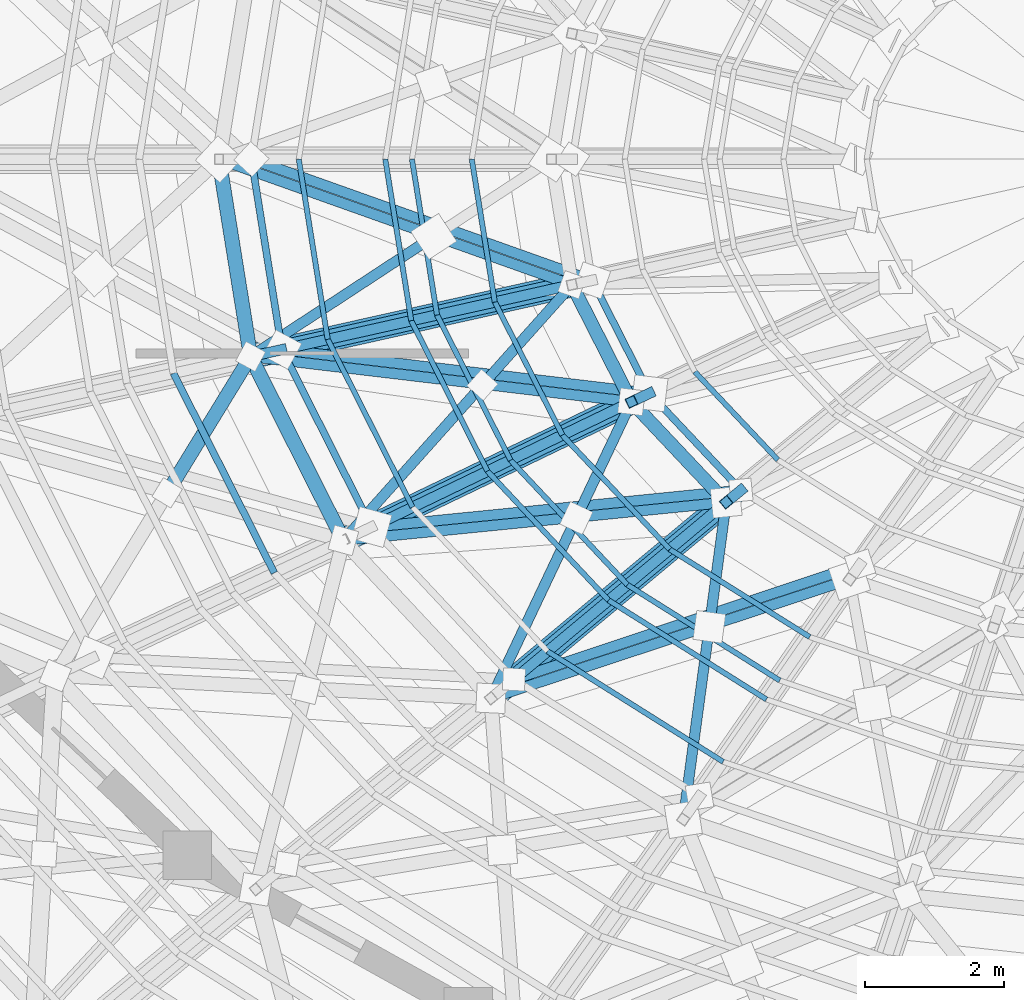
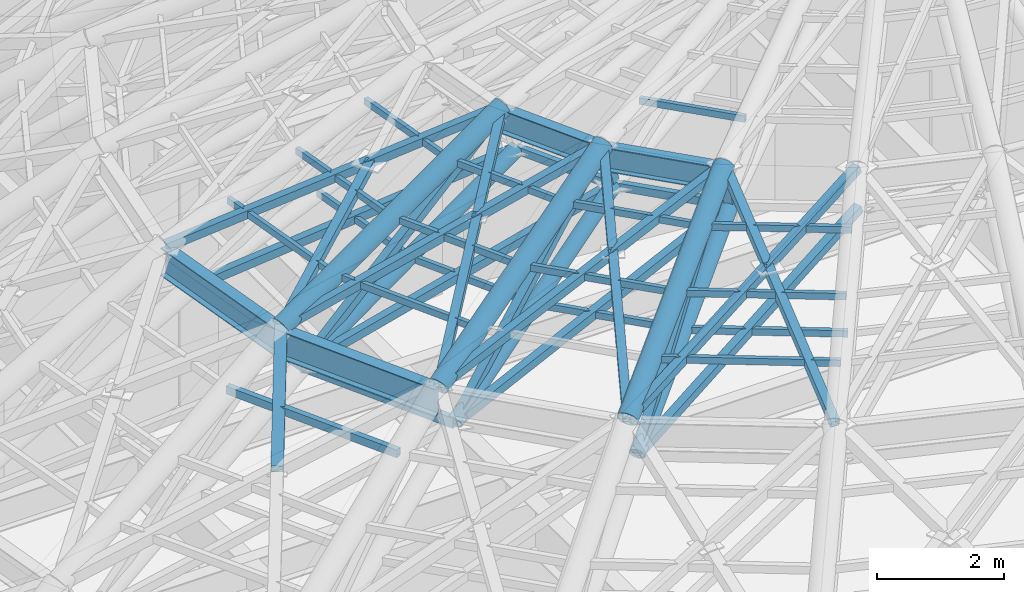
# One storey, part 9 of 50: 49 members, 4 beams.
"""IFC4 building model written with IfcOpenShell, lengths in metres."""

from ifc_helpers import new_model, si_unit, direction, frame, origin, origin_2d, place, context, subcontext, project, spatial, hollow_rectangle, hollow_circle, i_section, extrude, material, material_profile, profile_set, type_object, element, save


model = new_model("IFC4")

# Units and contexts
model_context = context("Model", 3, precision=1e-05, world=origin(), true_north=direction((0.0, 1.0)))
body_context = subcontext(model_context, "Body", "Model", "MODEL_VIEW")
ifc_project = project(units=[si_unit("LENGTHUNIT", "METRE"), si_unit("AREAUNIT", "SQUARE_METRE"), si_unit("VOLUMEUNIT", "CUBIC_METRE"), si_unit("PLANEANGLEUNIT", "RADIAN"), si_unit("MASSUNIT", "GRAM", prefix="KILO")], contexts=[model_context])

# Site, building, storey
site_placement = place(None, origin())
site = spatial("IfcSite", under=ifc_project, at=site_placement, CompositionType="ELEMENT")
building_placement = place(site_placement, origin())
building = spatial("IfcBuilding", under=site, at=building_placement, Name="Cinderbank Siding Concert Hall", CompositionType="ELEMENT")
storey_placement = place(building_placement, frame((0.0, 0.0, 23.699951171875)))
storey = spatial("IfcBuildingStorey", under=building, at=storey_placement, Name="L06", CompositionType="ELEMENT", Elevation=23.699951171875)

# Beams
ifc_material_1 = material(Name="Structural steel AS/NZS 3679.1 Grade 350 (340 MPa)", Category="steel")
ifc_material_profile_1 = material_profile(ifc_material_1, i_section(OverallWidth=0.19091796875, OverallDepth=0.46044921875, WebThickness=0.010009765625, FlangeThickness=0.01611328125, at=origin_2d()), Name="460UB82.1", Category="LoadBearing")
ifc_profile_set_1 = profile_set([ifc_material_profile_1], Name="Structural steel AS/NZS 3679.1 Grade 350 (340 MPa)")
beam_type_1 = type_object("IfcBeamType", Name="BM-UB460H 460UB82.1", PredefinedType="BEAM", material=ifc_profile_set_1)
beam_1_placement = place(storey_placement, frame((113.693115234375, 42.188232421875, 15.769775390625), z_axis=(0.453543458503, -0.89123416185, 0.0), x_axis=(0.89123416185, 0.453543458503, 0.0)))
element("IfcBeam", 1, at=beam_1_placement, inside=storey, type_object=beam_type_1, Name="L06 Beam BM-UB460H #2101", PredefinedType="BEAM", context=body_context, shape_type="SweptSolid", body=[
    extrude(i_section(OverallWidth=0.19091796875, OverallDepth=0.46044921875, WebThickness=0.010009765625, FlangeThickness=0.01611328125, at=origin_2d()), origin(), (0.0, 0.0, 1.0), 1.894287109375),
])
beam_2_placement = place(storey_placement, frame((114.55224609375, 40.5, 15.769775390625), z_axis=(0.685968385117, -0.72763134527, 0.0), x_axis=(0.72763134527, 0.685968385117, 0.0)))
element("IfcBeam", 2, at=beam_2_placement, inside=storey, type_object=beam_type_1, Name="L06 Beam BM-UB460H #2102", PredefinedType="BEAM", context=body_context, shape_type="SweptSolid", body=[
    extrude(i_section(OverallWidth=0.19091796875, OverallDepth=0.46044921875, WebThickness=0.010009765625, FlangeThickness=0.01611328125, at=origin_2d()), origin(), (0.0, 0.0, 1.0), 1.992431640625),
])
ifc_material_profile_2 = material_profile(ifc_material_1, i_section(OverallWidth=0.208984375, OverallDepth=0.532958984375, WebThickness=0.01025390625, FlangeThickness=0.015625, at=origin_2d()), Name="530UB92.4", Category="LoadBearing")
ifc_profile_set_2 = profile_set([ifc_material_profile_2], Name="Structural steel AS/NZS 3679.1 Grade 350 (340 MPa)")
beam_type_2 = type_object("IfcBeamType", Name="BM-UB530H 530UB92.4", PredefinedType="BEAM", material=ifc_profile_set_2)
beam_3_placement = place(storey_placement, frame((108.60009765625, 44.0, 13.733642578125), z_axis=(0.158340547868, -0.987384560797, 0.0), x_axis=(0.987384560797, 0.158340547868, 0.0)))
element("IfcBeam", 3, at=beam_3_placement, inside=storey, type_object=beam_type_2, Name="L06 Beam BM-UB530H #2082", PredefinedType="BEAM", context=body_context, shape_type="SweptSolid", body=[
    extrude(i_section(OverallWidth=0.208984375, OverallDepth=0.532958984375, WebThickness=0.01025390625, FlangeThickness=0.015625, at=origin_2d()), origin(), (0.0, 0.0, 1.0), 2.88330078125),
])
beam_4_placement = place(storey_placement, frame((109.056640625, 41.153076171875, 13.733642578125), z_axis=(0.450464034006, -0.892794575514, 0.0), x_axis=(0.892794575514, 0.450464034006, 0.0)))
element("IfcBeam", 4, at=beam_4_placement, inside=storey, type_object=beam_type_2, Name="L06 Beam BM-UB530H #2083", PredefinedType="BEAM", context=body_context, shape_type="SweptSolid", body=[
    extrude(i_section(OverallWidth=0.208984375, OverallDepth=0.532958984375, WebThickness=0.01025390625, FlangeThickness=0.015625, at=origin_2d()), origin(), (0.0, 0.0, 1.0), 2.9716796875),
])

# Members
ifc_material_2 = material(Name="Structural steel hollow section AS/NZS 1163 Grade C350L0 (350 MPa)", Category="steel")
ifc_material_profile_3 = material_profile(ifc_material_2, hollow_rectangle(XDim=0.14990234375, YDim=0.14990234375, WallThickness=0.008056640625, at=origin_2d()), Name="150x150x8.0SHS", Category="LoadBearing")
ifc_profile_set_3 = profile_set([ifc_material_profile_3], Name="Structural steel hollow section AS/NZS 1163 Grade C350L0 (350 MPa)")
member_type_1 = type_object("IfcMemberType", Name="BR-SHS150 150x150x8.0SHS Roof Truss", PredefinedType="BRACE", material=ifc_profile_set_3)
member_1_placement = place(storey_placement, frame((108.60009765625, 44.0, 14.0), z_axis=(0.883622302252, -0.314335894972, 0.346993619675), x_axis=(0.335160242234, 0.942161139098, 0.0)))
element("IfcMember", 5, at=member_1_placement, inside=storey, type_object=member_type_1, Name="L06 Diagonal Brace BR-SHS150 #DBRO-BR-SHS150-L06-1545", PredefinedType="BRACE", context=body_context, shape_type="SweptSolid", body=[
    extrude(hollow_rectangle(XDim=0.14990234375, YDim=0.14990234375, WallThickness=0.008056640625, at=origin_2d()), origin(), (0.0, 0.0, 1.0), 5.763916015625),
])
member_2_placement = place(storey_placement, frame((109.056640625, 41.153076171875, 14.0), z_axis=(0.78047507235, 0.51156947288, 0.359381880257), x_axis=(-0.548193994041, 0.83635120906, 0.0)))
element("IfcMember", 6, at=member_2_placement, inside=storey, type_object=member_type_1, Name="L06 Diagonal Brace BR-SHS150 #DBRO-BR-SHS150-L06-1546", PredefinedType="BRACE", context=body_context, shape_type="SweptSolid", body=[
    extrude(hollow_rectangle(XDim=0.14990234375, YDim=0.14990234375, WallThickness=0.008056640625, at=origin_2d()), origin(), (0.0, 0.0, 1.0), 3.386474609375),
])
member_3_placement = place(storey_placement, frame((109.069091796875, 44.0, 13.050048828125), z_axis=(0.879724072486, -0.312935476781, 0.357990144643), x_axis=(0.3351472378, 0.942165765137, 0.0)))
element("IfcMember", 7, at=member_3_placement, inside=storey, type_object=member_type_1, Name="L06 Diagonal Brace BR-SHS150 #DBRI-BR-SHS150-L06-1547", PredefinedType="BRACE", context=body_context, shape_type="SweptSolid", body=[
    extrude(hollow_rectangle(XDim=0.14990234375, YDim=0.14990234375, WallThickness=0.008056640625, at=origin_2d()), origin(), (0.0, 0.0, 1.0), 5.586669921875),
])
member_4_placement = place(storey_placement, frame((109.509521484375, 41.252685546875, 13.050048828125), z_axis=(0.803944085996, 0.179780213442, 0.566880041497), x_axis=(-0.218232746795, 0.975896750802, 0.0)))
element("IfcMember", 8, at=member_4_placement, inside=storey, type_object=member_type_1, Name="L06 Diagonal Brace BR-SHS150 #DWBD-BR-SHS150-L06-1550", PredefinedType="BRACE", context=body_context, shape_type="SweptSolid", body=[
    extrude(hollow_rectangle(XDim=0.14990234375, YDim=0.14990234375, WallThickness=0.008056640625, at=origin_2d()), origin(), (0.0, 0.0, 1.0), 5.203857421875),
])
member_5_placement = place(storey_placement, frame((109.509521484375, 41.252685546875, 13.050048828125), z_axis=(-0.428423947592, -0.09423017284, 0.898650986566), x_axis=(0.214811563111, -0.976655513655, 0.0)))
element("IfcMember", 9, at=member_5_placement, inside=storey, type_object=member_type_1, Name="L06 Diagonal Brace BR-SHS150 #DWBV-BR-SHS150-L06-1553", PredefinedType="BRACE", context=body_context, shape_type="SweptSolid", body=[
    extrude(hollow_rectangle(XDim=0.14990234375, YDim=0.14990234375, WallThickness=0.008056640625, at=origin_2d()), origin(), (0.0, 0.0, 1.0), 1.05712890625),
])
member_6_placement = place(storey_placement, frame((109.056640625, 41.153076171875, 14.0), z_axis=(0.933900620549, -0.110981082184, 0.339871785142), x_axis=(0.118005754666, 0.993012911228, 0.0)))
element("IfcMember", 10, at=member_6_placement, inside=storey, type_object=member_type_1, Name="L06 Diagonal Brace BR-SHS150 #DBRO-BR-SHS150-L06-1557", PredefinedType="BRACE", context=body_context, shape_type="SweptSolid", body=[
    extrude(hollow_rectangle(XDim=0.14990234375, YDim=0.14990234375, WallThickness=0.008056640625, at=origin_2d()), origin(), (0.0, 0.0, 1.0), 5.884521484375),
])
member_7_placement = place(storey_placement, frame((110.395263671875, 38.5, 14.0), z_axis=(0.617949788292, 0.691123105075, 0.374815838487), x_axis=(-0.74546827407, 0.666541110776, 0.0)))
element("IfcMember", 11, at=member_7_placement, inside=storey, type_object=member_type_1, Name="L06 Diagonal Brace BR-SHS150 #DBRO-BR-SHS150-L06-1558", PredefinedType="BRACE", context=body_context, shape_type="SweptSolid", body=[
    extrude(hollow_rectangle(XDim=0.14990234375, YDim=0.14990234375, WallThickness=0.008056640625, at=origin_2d()), origin(), (0.0, 0.0, 1.0), 3.246337890625),
])
member_8_placement = place(storey_placement, frame((112.419921875, 40.764404296875, 15.22802734375), z_axis=(0.61800772602, 0.691125802138, 0.374715326879), x_axis=(-0.745438514971, 0.666574392245, 0.0)))
element("IfcMember", 12, at=member_8_placement, inside=storey, type_object=member_type_1, Name="L06 Diagonal Brace BR-SHS150 #DBRO-BR-SHS150-L06-1558-S142", PredefinedType="BRACE", context=body_context, shape_type="SweptSolid", body=[
    extrude(hollow_rectangle(XDim=0.14990234375, YDim=0.14990234375, WallThickness=0.008056640625, at=origin_2d()), origin(), (0.0, 0.0, 1.0), 2.06005859375),
])
member_9_placement = place(storey_placement, frame((109.509521484375, 41.252685546875, 13.050048828125), z_axis=(0.929948888176, -0.110491096091, 0.350694714908), x_axis=(0.117984297951, 0.993015460825, 0.0)))
element("IfcMember", 13, at=member_9_placement, inside=storey, type_object=member_type_1, Name="L06 Diagonal Brace BR-SHS150 #DBRI-BR-SHS150-L06-1559", PredefinedType="BRACE", context=body_context, shape_type="SweptSolid", body=[
    extrude(hollow_rectangle(XDim=0.14990234375, YDim=0.14990234375, WallThickness=0.008056640625, at=origin_2d()), origin(), (0.0, 0.0, 1.0), 5.702880859375),
])
member_10_placement = place(storey_placement, frame((110.801513671875, 38.6923828125, 13.050048828125), z_axis=(0.73504663537, 0.354246259733, 0.578114202641), x_axis=(-0.434148801716, 0.900841172443, 0.0)))
element("IfcMember", 14, at=member_10_placement, inside=storey, type_object=member_type_1, Name="L06 Diagonal Brace BR-SHS150 #DWBD-BR-SHS150-L06-1562", PredefinedType="BRACE", context=body_context, shape_type="SweptSolid", body=[
    extrude(hollow_rectangle(XDim=0.14990234375, YDim=0.14990234375, WallThickness=0.008056640625, at=origin_2d()), origin(), (0.0, 0.0, 1.0), 5.102783203125),
])
member_11_placement = place(storey_placement, frame((110.395263671875, 38.5, 14.0), z_axis=(0.936165038777, 0.093264795465, 0.338964154593), x_axis=(-0.099133573516, 0.995074135229, 0.0)))
element("IfcMember", 15, at=member_11_placement, inside=storey, type_object=member_type_1, Name="L06 Diagonal Brace BR-SHS150 #DBRO-BR-SHS150-L06-1569", PredefinedType="BRACE", context=body_context, shape_type="SweptSolid", body=[
    extrude(hollow_rectangle(XDim=0.14990234375, YDim=0.14990234375, WallThickness=0.008056640625, at=origin_2d()), origin(), (0.0, 0.0, 1.0), 5.900390625),
])
member_12_placement = place(storey_placement, frame((112.52490234375, 36.2216796875, 14.0), z_axis=(0.394394356663, 0.832471385285, 0.389158687573), x_axis=(-0.903710199591, 0.428144689509, 0.0)))
element("IfcMember", 16, at=member_12_placement, inside=storey, type_object=member_type_1, Name="L06 Diagonal Brace BR-SHS150 #DBRO-BR-SHS150-L06-1570", PredefinedType="BRACE", context=body_context, shape_type="SweptSolid", body=[
    extrude(hollow_rectangle(XDim=0.14990234375, YDim=0.14990234375, WallThickness=0.008056640625, at=origin_2d()), origin(), (0.0, 0.0, 1.0), 3.124267578125),
])
member_13_placement = place(storey_placement, frame((113.76904296875, 38.847412109375, 15.2275390625), z_axis=(0.394514474684, 0.832440298983, 0.389103428273), x_axis=(-0.903653554026, 0.428264234202, 0.0)))
element("IfcMember", 17, at=member_13_placement, inside=storey, type_object=member_type_1, Name="L06 Diagonal Brace BR-SHS150 #DBRO-BR-SHS150-L06-1570-S143", PredefinedType="BRACE", context=body_context, shape_type="SweptSolid", body=[
    extrude(hollow_rectangle(XDim=0.14990234375, YDim=0.14990234375, WallThickness=0.008056640625, at=origin_2d()), origin(), (0.0, 0.0, 1.0), 1.9853515625),
])
member_14_placement = place(storey_placement, frame((110.801513671875, 38.6923828125, 13.050048828125), z_axis=(0.932212285128, 0.092871093814, 0.349793103691), x_axis=(-0.099133667269, 0.995074125889, 0.0)))
element("IfcMember", 18, at=member_14_placement, inside=storey, type_object=member_type_1, Name="L06 Diagonal Brace BR-SHS150 #DBRI-BR-SHS150-L06-1571", PredefinedType="BRACE", context=body_context, shape_type="SweptSolid", body=[
    extrude(hollow_rectangle(XDim=0.14990234375, YDim=0.14990234375, WallThickness=0.008056640625, at=origin_2d()), origin(), (0.0, 0.0, 1.0), 5.7177734375),
])
member_15_placement = place(storey_placement, frame((112.8564453125, 36.494140625, 13.050048828125), z_axis=(0.6172710179, 0.515212656044, 0.594585914324), x_axis=(-0.640786191173, 0.767719387017, 0.0)))
element("IfcMember", 19, at=member_15_placement, inside=storey, type_object=member_type_1, Name="L06 Diagonal Brace BR-SHS150 #DWBD-BR-SHS150-L06-1574", PredefinedType="BRACE", context=body_context, shape_type="SweptSolid", body=[
    extrude(hollow_rectangle(XDim=0.14990234375, YDim=0.14990234375, WallThickness=0.008056640625, at=origin_2d()), origin(), (0.0, 0.0, 1.0), 4.96142578125),
])
member_16_placement = place(storey_placement, frame((112.52490234375, 36.2216796875, 14.0), z_axis=(0.891111370371, 0.29549567497, 0.344387618346), x_axis=(-0.31474968435, 0.949174713212, 0.0)))
element("IfcMember", 20, at=member_16_placement, inside=storey, type_object=member_type_1, Name="L06 Diagonal Brace BR-SHS150 #DBRO-BR-SHS150-L06-1581", PredefinedType="BRACE", context=body_context, shape_type="SweptSolid", body=[
    extrude(hollow_rectangle(XDim=0.14990234375, YDim=0.14990234375, WallThickness=0.008056640625, at=origin_2d()), origin(), (0.0, 0.0, 1.0), 5.807373046875),
])
member_17_placement = place(storey_placement, frame((115.300048828125, 34.4736328125, 14.0), z_axis=(0.122937361445, 0.909369020593, 0.397409599214), x_axis=(-0.990985247614, 0.133971037955, 0.0)))
element("IfcMember", 21, at=member_17_placement, inside=storey, type_object=member_type_1, Name="L06 Diagonal Brace BR-SHS150 #DBRO-BR-SHS150-L06-1582", PredefinedType="BRACE", context=body_context, shape_type="SweptSolid", body=[
    extrude(hollow_rectangle(XDim=0.14990234375, YDim=0.14990234375, WallThickness=0.008056640625, at=origin_2d()), origin(), (0.0, 0.0, 1.0), 3.056396484375),
])
member_18_placement = place(storey_placement, frame((115.679443359375, 37.2802734375, 15.2265625), z_axis=(0.123047659208, 0.909373628195, 0.39736491781), x_axis=(-0.990969373362, 0.134088407623, 0.0)))
element("IfcMember", 22, at=member_18_placement, inside=storey, type_object=member_type_1, Name="L06 Diagonal Brace BR-SHS150 #DBRO-BR-SHS150-L06-1582-S144", PredefinedType="BRACE", context=body_context, shape_type="SweptSolid", body=[
    extrude(hollow_rectangle(XDim=0.14990234375, YDim=0.14990234375, WallThickness=0.008056640625, at=origin_2d()), origin(), (0.0, 0.0, 1.0), 1.946533203125),
])
member_19_placement = place(storey_placement, frame((112.8564453125, 36.494140625, 13.050048828125), z_axis=(0.887253465625, 0.294160784311, 0.355317774267), x_axis=(-0.314696099108, 0.949192480589, 0.0)))
element("IfcMember", 23, at=member_19_placement, inside=storey, type_object=member_type_1, Name="L06 Diagonal Brace BR-SHS150 #DBRI-BR-SHS150-L06-1583", PredefinedType="BRACE", context=body_context, shape_type="SweptSolid", body=[
    extrude(hollow_rectangle(XDim=0.14990234375, YDim=0.14990234375, WallThickness=0.008056640625, at=origin_2d()), origin(), (0.0, 0.0, 1.0), 5.628662109375),
])
member_20_placement = place(storey_placement, frame((114.81298828125, 40.62255859375, 15.050048828125), z_axis=(-0.262664795398, -0.12346229147, 0.956955729302), x_axis=(0.425388902363, -0.905010652836, 0.0)))
element("IfcMember", 24, at=member_20_placement, inside=storey, type_object=member_type_1, Name="L06 Diagonal Brace BR-SHS150 #DWBV-BR-SHS150-L06-1825", PredefinedType="BRACE", context=body_context, shape_type="SweptSolid", body=[
    extrude(hollow_rectangle(XDim=0.14990234375, YDim=0.14990234375, WallThickness=0.008056640625, at=origin_2d()), origin(), (0.0, 0.0, 1.0), 0.99267578125),
])
member_21_placement = place(storey_placement, frame((116.131591796875, 39.223388671875, 15.050048828125), z_axis=(-0.215070231721, -0.175068650161, 0.96077872747), x_axis=(0.631296308496, -0.775541727362, 0.0)))
element("IfcMember", 25, at=member_21_placement, inside=storey, type_object=member_type_1, Name="L06 Diagonal Brace BR-SHS150 #DWBV-BR-SHS150-L06-1835", PredefinedType="BRACE", context=body_context, shape_type="SweptSolid", body=[
    extrude(hollow_rectangle(XDim=0.14990234375, YDim=0.14990234375, WallThickness=0.008056640625, at=origin_2d()), origin(), (0.0, 0.0, 1.0), 0.98876953125),
])
ifc_material_profile_4 = material_profile(ifc_material_2, hollow_rectangle(XDim=0.199951171875, YDim=0.199951171875, WallThickness=0.009033203125, at=origin_2d()), Name="200x200x9.0SHS", Category="LoadBearing")
ifc_profile_set_4 = profile_set([ifc_material_profile_4], Name="Structural steel hollow section AS/NZS 1163 Grade C350L0 (350 MPa)")
member_type_2 = type_object("IfcMemberType", Name="BR-SHS200 200x200x9.0SHS Roof Truss", PredefinedType="BRACE", material=ifc_profile_set_4)
member_22_placement = place(storey_placement, frame((107.866455078125, 39.209228515625, 12.85986328125), z_axis=(0.467008937267, 0.762733365851, 0.447370612726), x_axis=(-0.852836701798, 0.522177709277, 0.0)))
element("IfcMember", 26, at=member_22_placement, inside=storey, type_object=member_type_2, Name="L06 Diagonal Brace BR-SHS200 #DBRO-BR-SHS200-L06-1270-S118", PredefinedType="BRACE", context=body_context, shape_type="SweptSolid", body=[
    extrude(hollow_rectangle(XDim=0.199951171875, YDim=0.199951171875, WallThickness=0.009033203125, at=origin_2d()), origin(), (0.0, 0.0, 1.0), 2.548583984375),
])
ifc_material_profile_5 = material_profile(ifc_material_2, hollow_circle(Radius=0.136474609375, WallThickness=0.00927734375, at=origin_2d()), Name="273.1x9.3CHS", Category="LoadBearing")
ifc_profile_set_5 = profile_set([ifc_material_profile_5], Name="Structural steel hollow section AS/NZS 1163 Grade C350L0 (350 MPa)")
member_type_3 = type_object("IfcMemberType", Name="DR-CHS273 273.1x9.3CHS Roof Truss", PredefinedType="RAFTER", material=ifc_profile_set_5)
member_23_placement = place(storey_placement, frame((109.509521484375, 41.252685546875, 13.050048828125), z_axis=(0.894551208045, 0.199732828249, 0.399856141011), x_axis=(-0.217911457285, 0.975968542927, 0.0)))
element("IfcMember", 27, at=member_23_placement, inside=storey, type_object=member_type_3, Name="L06 Roof Truss Member DR-CHS273 #1549", PredefinedType="RAFTER", context=body_context, shape_type="SweptSolid", body=[
    extrude(hollow_circle(Radius=0.136474609375, WallThickness=0.00927734375, at=origin_2d()), origin(), (0.0, 0.0, 1.0), 5.001708984375),
])
member_24_placement = place(storey_placement, frame((110.801513671875, 38.6923828125, 13.050048828125), z_axis=(0.821969865668, 0.395502024099, 0.409809332332), x_axis=(-0.433583104799, 0.90111358398, 0.0)))
element("IfcMember", 28, at=member_24_placement, inside=storey, type_object=member_type_3, Name="L06 Roof Truss Member DR-CHS273 #1561", PredefinedType="RAFTER", context=body_context, shape_type="SweptSolid", body=[
    extrude(hollow_circle(Radius=0.136474609375, WallThickness=0.00927734375, at=origin_2d()), origin(), (0.0, 0.0, 1.0), 4.88037109375),
])
member_25_placement = place(storey_placement, frame((112.8564453125, 36.494140625, 13.050048828125), z_axis=(0.695496901664, 0.5795721106, 0.424711935776), x_axis=(-0.640178766907, 0.768225973527, 0.0)))
element("IfcMember", 29, at=member_25_placement, inside=storey, type_object=member_type_3, Name="L06 Roof Truss Member DR-CHS273 #1573", PredefinedType="RAFTER", context=body_context, shape_type="SweptSolid", body=[
    extrude(hollow_circle(Radius=0.136474609375, WallThickness=0.00927734375, at=origin_2d()), origin(), (0.0, 0.0, 1.0), 4.708984375),
])
ifc_material_profile_6 = material_profile(ifc_material_2, hollow_circle(Radius=0.177734375, WallThickness=0.0126953125, at=origin_2d()), Name="355.6x12.7CHS", Category="LoadBearing")
ifc_profile_set_6 = profile_set([ifc_material_profile_6], Name="Structural steel hollow section AS/NZS 1163 Grade C350L0 (350 MPa)")
member_type_4 = type_object("IfcMemberType", Name="DR-CHS355 355.6x12.7CHS Roof Truss", PredefinedType="RAFTER", material=ifc_profile_set_6)
member_26_placement = place(storey_placement, frame((109.056640625, 41.153076171875, 14.0), z_axis=(0.899507554833, 0.200827340977, 0.388013579548), x_axis=(-0.217898925062, 0.975971341002, 0.0)))
element("IfcMember", 30, at=member_26_placement, inside=storey, type_object=member_type_4, Name="L06 Roof Truss Member DR-CHS355 #1548", PredefinedType="RAFTER", context=body_context, shape_type="SweptSolid", body=[
    extrude(hollow_circle(Radius=0.177734375, WallThickness=0.0126953125, at=origin_2d()), origin(), (0.0, 0.0, 1.0), 5.154541015625),
])
member_27_placement = place(storey_placement, frame((110.395263671875, 38.5, 14.0), z_axis=(0.826771188682, 0.397774685951, 0.397774685951), x_axis=(-0.433549862305, 0.901129578304, 0.0)))
element("IfcMember", 31, at=member_27_placement, inside=storey, type_object=member_type_4, Name="L06 Roof Truss Member DR-CHS355 #1560", PredefinedType="RAFTER", context=body_context, shape_type="SweptSolid", body=[
    extrude(hollow_circle(Radius=0.177734375, WallThickness=0.0126953125, at=origin_2d()), origin(), (0.0, 0.0, 1.0), 5.028076171875),
])
member_28_placement = place(storey_placement, frame((112.52490234375, 36.2216796875, 14.0), z_axis=(0.699831224622, 0.583243027512, 0.412387957999), x_axis=(-0.640217010255, 0.768194102932, 0.0)))
element("IfcMember", 32, at=member_28_placement, inside=storey, type_object=member_type_4, Name="L06 Roof Truss Member DR-CHS355 #1572", PredefinedType="RAFTER", context=body_context, shape_type="SweptSolid", body=[
    extrude(hollow_circle(Radius=0.177734375, WallThickness=0.0126953125, at=origin_2d()), origin(), (0.0, 0.0, 1.0), 4.849853515625),
])
ifc_material_profile_7 = material_profile(ifc_material_2, hollow_rectangle(XDim=0.074951171875, YDim=0.125, WallThickness=0.0048828125, at=origin_2d()), Name="125x75x5.0RHS", Category="LoadBearing")
ifc_profile_set_7 = profile_set([ifc_material_profile_7], Name="Structural steel hollow section AS/NZS 1163 Grade C350L0 (350 MPa)")
member_type_5 = type_object("IfcMemberType", Name="PR-RHS125 125x75x5.0RHS Roof Truss", PredefinedType="PURLIN", material=ifc_profile_set_7)
member_29_placement = place(storey_placement, frame((111.385009765625, 44.0, 14.050048828125), z_axis=(0.15881436208, -0.987308461625, 0.0), x_axis=(0.987308461625, 0.15881436208, 0.0)))
element("IfcMember", 33, at=member_29_placement, inside=storey, type_object=member_type_5, Name="L06 Roof Truss Member PR-RHS125 #1540", PredefinedType="PURLIN", context=body_context, shape_type="SweptSolid", body=[
    extrude(hollow_rectangle(XDim=0.074951171875, YDim=0.125, WallThickness=0.0048828125, at=origin_2d()), origin(), (0.0, 0.0, 1.0), 2.276611328125),
])
member_30_placement = place(storey_placement, frame((109.751953125, 44.0, 14.47998046875), z_axis=(0.158544057457, -0.987351903753, 0.0), x_axis=(0.987351903753, 0.158544057457, 0.0)))
element("IfcMember", 34, at=member_30_placement, inside=storey, type_object=member_type_5, Name="L06 Roof Truss Member PR-RHS125 #1542", PredefinedType="PURLIN", context=body_context, shape_type="SweptSolid", body=[
    extrude(hollow_rectangle(XDim=0.074951171875, YDim=0.125, WallThickness=0.0048828125, at=origin_2d()), origin(), (0.0, 0.0, 1.0), 2.631591796875),
])
member_31_placement = place(storey_placement, frame((111.0, 44.0, 15.0), z_axis=(0.158842014488, -0.987304013176, 0.0), x_axis=(0.987304013176, 0.158842014488, 0.0)))
element("IfcMember", 35, at=member_31_placement, inside=storey, type_object=member_type_5, Name="L06 Roof Truss Member PR-RHS125 #1543", PredefinedType="PURLIN", context=body_context, shape_type="SweptSolid", body=[
    extrude(hollow_rectangle(XDim=0.074951171875, YDim=0.125, WallThickness=0.0048828125, at=origin_2d()), origin(), (0.0, 0.0, 1.0), 2.359375),
])
member_32_placement = place(storey_placement, frame((112.248046875, 44.0, 15.52001953125), z_axis=(0.159217726592, -0.987243493541, 0.0), x_axis=(0.987243493541, 0.159217726592, 0.0)))
element("IfcMember", 36, at=member_32_placement, inside=storey, type_object=member_type_5, Name="L06 Roof Truss Member PR-RHS125 #1544", PredefinedType="PURLIN", context=body_context, shape_type="SweptSolid", body=[
    extrude(hollow_rectangle(XDim=0.074951171875, YDim=0.125, WallThickness=0.0048828125, at=origin_2d()), origin(), (0.0, 0.0, 1.0), 2.0869140625),
])
member_33_placement = place(storey_placement, frame((111.74658203125, 41.752197265625, 14.050048828125), z_axis=(0.451699999608, -0.892169888729, 0.0), x_axis=(0.892169888729, 0.451699999608, 0.0)))
element("IfcMember", 37, at=member_33_placement, inside=storey, type_object=member_type_5, Name="L06 Roof Truss Member PR-RHS125 #1552", PredefinedType="PURLIN", context=body_context, shape_type="SweptSolid", body=[
    extrude(hollow_rectangle(XDim=0.074951171875, YDim=0.125, WallThickness=0.0048828125, at=origin_2d()), origin(), (0.0, 0.0, 1.0), 2.347900390625),
])
member_34_placement = place(storey_placement, frame((110.169189453125, 41.401611328125, 14.47998046875), z_axis=(0.451060515415, -0.892493367725, 0.0), x_axis=(0.892493367725, 0.451060515415, 0.0)))
element("IfcMember", 38, at=member_34_placement, inside=storey, type_object=member_type_5, Name="L06 Roof Truss Member PR-RHS125 #1554", PredefinedType="PURLIN", context=body_context, shape_type="SweptSolid", body=[
    extrude(hollow_rectangle(XDim=0.074951171875, YDim=0.125, WallThickness=0.0048828125, at=origin_2d()), origin(), (0.0, 0.0, 1.0), 2.71337890625),
])
member_35_placement = place(storey_placement, frame((111.374755859375, 41.670654296875, 15.0), z_axis=(0.451663469809, -0.892188382597, 0.0), x_axis=(0.892188382597, 0.451663469809, 0.0)))
element("IfcMember", 39, at=member_35_placement, inside=storey, type_object=member_type_5, Name="L06 Roof Truss Member PR-RHS125 #1555", PredefinedType="PURLIN", context=body_context, shape_type="SweptSolid", body=[
    extrude(hollow_rectangle(XDim=0.074951171875, YDim=0.125, WallThickness=0.0048828125, at=origin_2d()), origin(), (0.0, 0.0, 1.0), 2.432861328125),
])
member_36_placement = place(storey_placement, frame((112.580322265625, 41.939697265625, 15.52001953125), z_axis=(0.452513397216, -0.891757604588, 0.0), x_axis=(0.891757604588, 0.452513397216, 0.0)))
element("IfcMember", 40, at=member_36_placement, inside=storey, type_object=member_type_5, Name="L06 Roof Truss Member PR-RHS125 #1556", PredefinedType="PURLIN", context=body_context, shape_type="SweptSolid", body=[
    extrude(hollow_rectangle(XDim=0.074951171875, YDim=0.125, WallThickness=0.0048828125, at=origin_2d()), origin(), (0.0, 0.0, 1.0), 2.152587890625),
])
member_37_placement = place(storey_placement, frame((112.80712890625, 39.657470703125, 14.050048828125), z_axis=(0.684069565465, -0.729416773597, 0.0), x_axis=(0.729416773597, 0.684069565465, 0.0)))
element("IfcMember", 41, at=member_37_placement, inside=storey, type_object=member_type_5, Name="L06 Roof Truss Member PR-RHS125 #1564", PredefinedType="PURLIN", context=body_context, shape_type="SweptSolid", body=[
    extrude(hollow_rectangle(XDim=0.074951171875, YDim=0.125, WallThickness=0.0048828125, at=origin_2d()), origin(), (0.0, 0.0, 1.0), 2.4658203125),
])
member_38_placement = place(storey_placement, frame((112.4736328125, 39.5, 15.0), z_axis=(0.684052350248, -0.729432918177, 0.0), x_axis=(0.729432918177, 0.684052350248, 0.0)))
element("IfcMember", 42, at=member_38_placement, inside=storey, type_object=member_type_5, Name="L06 Roof Truss Member PR-RHS125 #1567", PredefinedType="PURLIN", context=body_context, shape_type="SweptSolid", body=[
    extrude(hollow_rectangle(XDim=0.074951171875, YDim=0.125, WallThickness=0.0048828125, at=origin_2d()), origin(), (0.0, 0.0, 1.0), 2.555419921875),
])
member_39_placement = place(storey_placement, frame((113.554443359375, 40.02001953125, 15.52001953125), z_axis=(0.684974166446, -0.728567355363, 0.0), x_axis=(0.728567355363, 0.684974166446, 0.0)))
element("IfcMember", 43, at=member_39_placement, inside=storey, type_object=member_type_5, Name="L06 Roof Truss Member PR-RHS125 #1568", PredefinedType="PURLIN", context=body_context, shape_type="SweptSolid", body=[
    extrude(hollow_rectangle(XDim=0.074951171875, YDim=0.125, WallThickness=0.0048828125, at=origin_2d()), origin(), (0.0, 0.0, 1.0), 2.2626953125),
])
member_40_placement = place(storey_placement, frame((114.493896484375, 37.85888671875, 14.050048828125), z_axis=(0.846902793444, -0.531747739493, 0.0), x_axis=(0.531747739493, 0.846902793444, 0.0)))
element("IfcMember", 44, at=member_40_placement, inside=storey, type_object=member_type_5, Name="L06 Roof Truss Member PR-RHS125 #1576", PredefinedType="PURLIN", context=body_context, shape_type="SweptSolid", body=[
    extrude(hollow_rectangle(XDim=0.074951171875, YDim=0.125, WallThickness=0.0048828125, at=origin_2d()), origin(), (0.0, 0.0, 1.0), 2.595947265625),
])
member_41_placement = place(storey_placement, frame((113.33935546875, 36.900634765625, 14.47998046875), z_axis=(0.846484441665, -0.532413457775, 0.0), x_axis=(0.532413457775, 0.846484441665, 0.0)))
element("IfcMember", 45, at=member_41_placement, inside=storey, type_object=member_type_5, Name="L06 Roof Truss Member PR-RHS125 #1578", PredefinedType="PURLIN", context=body_context, shape_type="SweptSolid", body=[
    extrude(hollow_rectangle(XDim=0.074951171875, YDim=0.125, WallThickness=0.0048828125, at=origin_2d()), origin(), (0.0, 0.0, 1.0), 2.99658203125),
])
member_42_placement = place(storey_placement, frame((114.2216796875, 37.635986328125, 15.0), z_axis=(0.846956519539, -0.531662161537, 0.0), x_axis=(0.531662161537, 0.846956519539, 0.0)))
element("IfcMember", 46, at=member_42_placement, inside=storey, type_object=member_type_5, Name="L06 Roof Truss Member PR-RHS125 #1579", PredefinedType="PURLIN", context=body_context, shape_type="SweptSolid", body=[
    extrude(hollow_rectangle(XDim=0.074951171875, YDim=0.125, WallThickness=0.0048828125, at=origin_2d()), origin(), (0.0, 0.0, 1.0), 2.68994140625),
])
member_43_placement = place(storey_placement, frame((115.104248046875, 38.37158203125, 15.52001953125), z_axis=(0.847474187281, -0.530836605644, 0.0), x_axis=(0.530836605644, 0.847474187281, 0.0)))
element("IfcMember", 47, at=member_43_placement, inside=storey, type_object=member_type_5, Name="L06 Roof Truss Member PR-RHS125 #1580", PredefinedType="PURLIN", context=body_context, shape_type="SweptSolid", body=[
    extrude(hollow_rectangle(XDim=0.074951171875, YDim=0.125, WallThickness=0.0048828125, at=origin_2d()), origin(), (0.0, 0.0, 1.0), 2.38330078125),
])
member_44_placement = place(storey_placement, frame((115.466796875, 40.931884765625, 16.26416015625), z_axis=(0.686192522958, -0.727419975967, 0.0), x_axis=(0.727419975967, 0.686192522958, 0.0)))
element("IfcMember", 48, at=member_44_placement, inside=storey, type_object=member_type_5, Name="L06 Roof Truss Member PR-RHS125 #1826", PredefinedType="PURLIN", context=body_context, shape_type="SweptSolid", body=[
    extrude(hollow_rectangle(XDim=0.074951171875, YDim=0.125, WallThickness=0.0048828125, at=origin_2d()), origin(), (0.0, 0.0, 1.0), 1.746826171875),
])
ifc_material_profile_8 = material_profile(ifc_material_2, hollow_rectangle(XDim=0.10009765625, YDim=0.14990234375, WallThickness=0.006103515625, at=origin_2d()), Name="150x100x6.0RHS", Category="LoadBearing")
ifc_profile_set_8 = profile_set([ifc_material_profile_8], Name="Structural steel hollow section AS/NZS 1163 Grade C350L0 (350 MPa)")
member_type_6 = type_object("IfcMemberType", Name="PR-RHS150 150x100x6.0RHS Roof Truss", PredefinedType="PURLIN", material=ifc_profile_set_8)
member_45_placement = place(storey_placement, frame((107.94384765625, 40.91064453125, 13.35205078125), z_axis=(0.450813445479, -0.892618192384, 0.0), x_axis=(0.892618192384, 0.450813445479, 0.0)))
element("IfcMember", 49, at=member_45_placement, inside=storey, type_object=member_type_6, Name="L06 Roof Truss Member PR-RHS150 #1268", PredefinedType="PURLIN", context=body_context, shape_type="SweptSolid", body=[
    extrude(hollow_rectangle(XDim=0.10009765625, YDim=0.14990234375, WallThickness=0.006103515625, at=origin_2d()), origin(), (0.0, 0.0, 1.0), 3.224853515625),
])
member_46_placement = place(storey_placement, frame((113.98388671875, 42.251708984375, 15.050048828125), z_axis=(0.453559612669, -0.891225940913, 0.0), x_axis=(0.891225940913, 0.453559612669, 0.0)))
element("IfcMember", 50, at=member_46_placement, inside=storey, type_object=member_type_6, Name="L06 Roof Truss Member PR-RHS150 #1551", PredefinedType="PURLIN", context=body_context, shape_type="SweptSolid", body=[
    extrude(hollow_rectangle(XDim=0.10009765625, YDim=0.14990234375, WallThickness=0.006103515625, at=origin_2d()), origin(), (0.0, 0.0, 1.0), 1.827880859375),
])
member_47_placement = place(storey_placement, frame((114.81298828125, 40.62255859375, 15.050048828125), z_axis=(0.685843830053, -0.727748748386, 0.0), x_axis=(0.727748748386, 0.685843830053, 0.0)))
element("IfcMember", 51, at=member_47_placement, inside=storey, type_object=member_type_6, Name="L06 Roof Truss Member PR-RHS150 #1563", PredefinedType="PURLIN", context=body_context, shape_type="SweptSolid", body=[
    extrude(hollow_rectangle(XDim=0.10009765625, YDim=0.14990234375, WallThickness=0.006103515625, at=origin_2d()), origin(), (0.0, 0.0, 1.0), 1.922607421875),
])
ifc_material_profile_9 = material_profile(ifc_material_2, hollow_rectangle(XDim=0.10009765625, YDim=0.199951171875, WallThickness=0.008056640625, at=origin_2d()), Name="200x100x8.0RHS", Category="LoadBearing")
ifc_profile_set_9 = profile_set([ifc_material_profile_9], Name="Structural steel hollow section AS/NZS 1163 Grade C350L0 (350 MPa)")
member_type_7 = type_object("IfcMemberType", Name="PR-RHS200 200x100x8.0RHS Roof Truss", PredefinedType="PURLIN", material=ifc_profile_set_9)
member_48_placement = place(storey_placement, frame((109.069091796875, 44.0, 13.050048828125), z_axis=(0.15829164601, -0.987392401633, 0.0), x_axis=(0.987392401633, 0.15829164601, 0.0)))
element("IfcMember", 52, at=member_48_placement, inside=storey, type_object=member_type_7, Name="L06 Roof Truss Member PR-RHS200 #1251", PredefinedType="PURLIN", context=body_context, shape_type="SweptSolid", body=[
    extrude(hollow_rectangle(XDim=0.10009765625, YDim=0.199951171875, WallThickness=0.008056640625, at=origin_2d()), origin(), (0.0, 0.0, 1.0), 2.782470703125),
])
member_49_placement = place(storey_placement, frame((109.509521484375, 41.252685546875, 13.050048828125), z_axis=(0.45051363153, -0.892769549103, 0.0), x_axis=(0.892769549103, 0.45051363153, 0.0)))
element("IfcMember", 53, at=member_49_placement, inside=storey, type_object=member_type_7, Name="L06 Roof Truss Member PR-RHS200 #1263", PredefinedType="PURLIN", context=body_context, shape_type="SweptSolid", body=[
    extrude(hollow_rectangle(XDim=0.10009765625, YDim=0.199951171875, WallThickness=0.008056640625, at=origin_2d()), origin(), (0.0, 0.0, 1.0), 2.867919921875),
])

save(model, "model.ifc")
